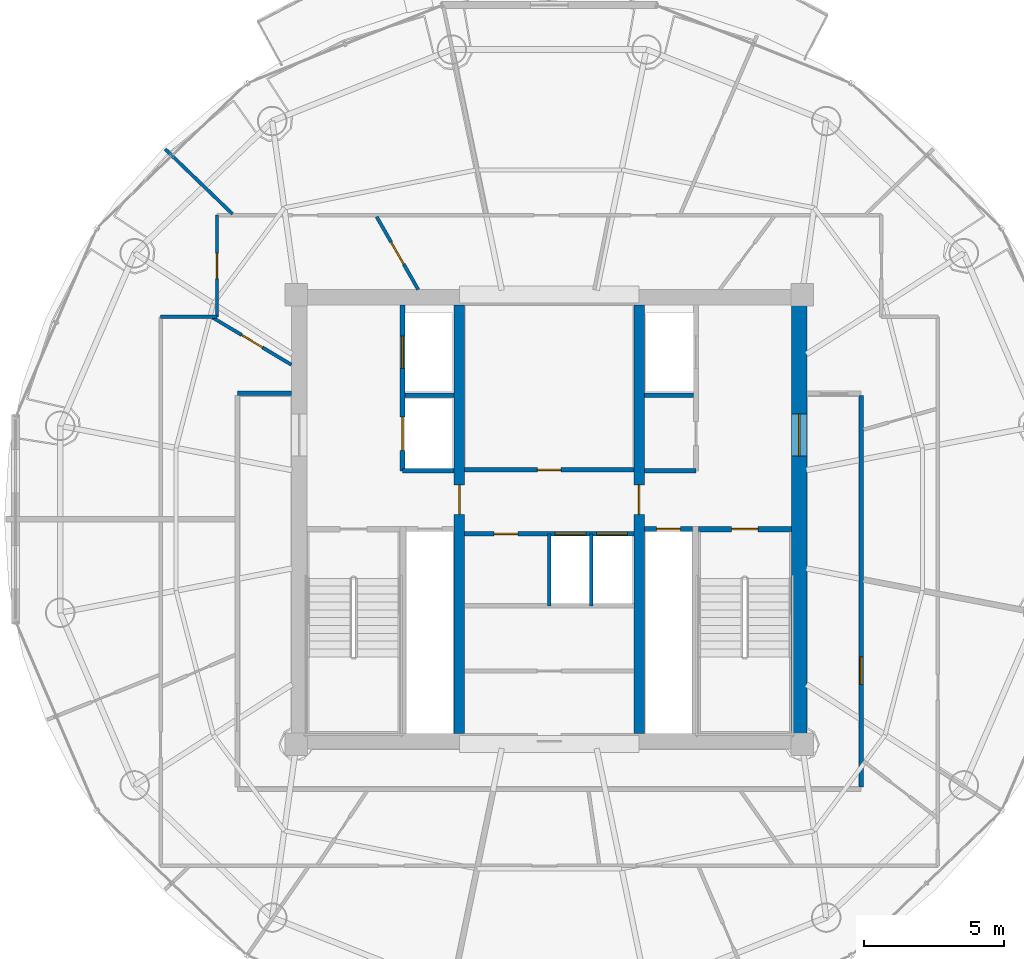
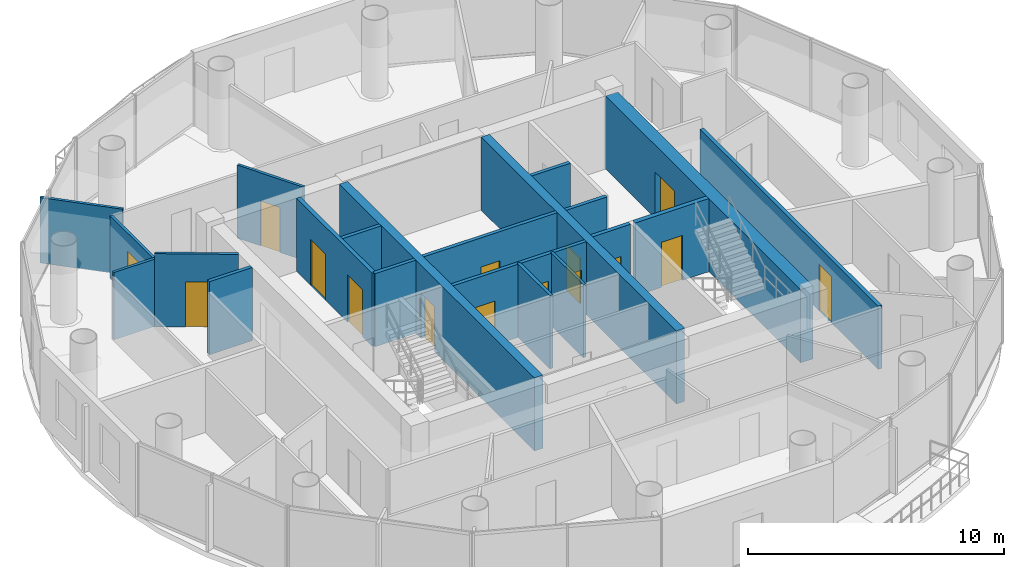
# One storey, part 18 of 23: 21 walls, 15 doors, 15 openings.
"""IFC4 building model written with IfcOpenShell, lengths in metres."""

from ifc_helpers import new_model, si_unit, direction, frame, frame_2d, origin, place, context, subcontext, project, spatial, rectangle, extrude, source, transform, mapped, material, layer, layer_set, type_object, element, fill, save


model = new_model("IFC4")

# Units and contexts
model_context = context("Model", 3, precision=1e-05, world=origin(), true_north=direction((-0.2419218956, 0.970295726276)))
body_context = subcontext(model_context, "Body", "Model", "MODEL_VIEW")
ifc_project = project(units=[si_unit("LENGTHUNIT", "METRE"), si_unit("AREAUNIT", "SQUARE_METRE"), si_unit("VOLUMEUNIT", "CUBIC_METRE"), si_unit("PLANEANGLEUNIT", "RADIAN"), si_unit("MASSUNIT", "GRAM", prefix="KILO")], contexts=[model_context])

# Site, building, storey
site_placement = place(None, origin())
site = spatial("IfcSite", under=ifc_project, at=site_placement, CompositionType="ELEMENT")
building_placement = place(site_placement, origin())
building = spatial("IfcBuilding", under=site, at=building_placement, Name="Cobrevalo Terracotta Tower", CompositionType="ELEMENT")
storey_placement = place(building_placement, frame((0.0, 0.0, 263.199951171875)))
storey = spatial("IfcBuildingStorey", under=building, at=storey_placement, Name="L69", CompositionType="ELEMENT", Elevation=263.199951171875)

# Wall, opening, door
ifc_material_1 = material(Name="Concrete C50", Category="concrete")
ifc_layer_1 = layer(ifc_material_1, 0.550048828125)
ifc_layer_set_1 = layer_set([ifc_layer_1], Name="Concrete C50")
wall_type_1 = type_object("IfcWallType", Name="Core shear wall 550 mm Concrete C50", PredefinedType="SHEAR", material=ifc_layer_set_1)
wall_1_placement = place(storey_placement, frame((46.89990234375, 19.175048828125, 0.0), z_axis=(0.0, 0.0, 1.0), x_axis=(0.0, 1.0, 0.0)))
wall_1 = element("IfcWall", 1, at=wall_1_placement, inside=storey, type_object=wall_type_1, Name="L69 east core shear wall", PredefinedType="SHEAR", context=body_context, shape_type="SweptSolid", body=[
    extrude(rectangle(XDim=15.25, YDim=0.550048828125, at=frame_2d((7.625, 0.0))), origin(), (0.0, 0.0, 1.0), 3.489990234375),
])
opening_1_placement = place(wall_1_placement, frame((9.875, 0.0, 0.0)))
opening_1 = element("IfcOpeningElement", 2, at=opening_1_placement, cuts=wall_1, Name="Opening ID-14", PredefinedType="OPENING", context=body_context, shape_type="SweptSolid", body=[
    extrude(rectangle(XDim=1.5, YDim=2.199951171875, at=frame_2d((0.75, 1.10009765625))), frame((0.0, 0.28515625, 0.0), z_axis=(0.0, -1.0, 0.0), x_axis=(1.0, 0.0, 0.0)), (0.0, 0.0, 1.0), 0.570068359375),
])
ifc_material_2 = material(Name="Galvanized fire-rated steel", Category="steel")
door_type_1 = type_object("IfcDoorType", Name="Core cross-lobby double fire door 1500x2200 EI 90", OperationType="NOTDEFINED", PredefinedType="DOOR", material=ifc_material_2)
shared_shape_1 = source(origin(), body_context, "Body", "SweptSolid", [
    extrude(rectangle(XDim=1.5, YDim=2.199951171875, at=frame_2d((0.75, 1.10009765625))), frame((0.0, 0.02490234375, 0.0), z_axis=(0.0, -1.0, 0.0), x_axis=(1.0, 0.0, 0.0)), (0.0, 0.0, 1.0), 0.050048828125),
])
door_1_placement = place(opening_1_placement, frame((1.5, 0.0, 0.0), z_axis=(0.0, 0.0, 1.0), x_axis=(-1.0, 0.0, 0.0)))
door_1 = element("IfcDoor", 3, at=door_1_placement, inside=storey, type_object=door_type_1, Name="L69 east firefighting lobby entrance door", OperationType="DOUBLE_DOOR_SINGLE_SWING", OverallHeight=2.199951171875, OverallWidth=1.5, PredefinedType="DOOR", context=body_context, shape_type="MappedRepresentation", body=[
    mapped(shared_shape_1, transform((0.0, 0.0, 0.0), scale=1.0)),
])
fill(opening_1, door_1)

# Walls
ifc_material_3 = material(Name="Gypsum board on steel stud", Category="steel")
ifc_layer_2 = layer(ifc_material_3, 0.159912109375)
ifc_layer_set_2 = layer_set([ifc_layer_2], Name="Gypsum board on steel stud")
wall_type_2 = type_object("IfcWallType", Name="Fire-rated corridor acoustic partition wall 160 mm", PredefinedType="PARTITIONING", material=ifc_layer_set_2)
wall_2_placement = place(storey_placement, frame((32.860107421875, 31.219970703125, 0.0), z_axis=(0.0, 0.0, 1.0), x_axis=(1.0, 0.0, 0.0)))
element("IfcWall", 4, at=wall_2_placement, inside=storey, type_object=wall_type_2, Name="L69 interior partition IW-L69-FF1-M", PredefinedType="PARTITIONING", context=body_context, shape_type="SweptSolid", body=[
    extrude(rectangle(XDim=1.75, YDim=0.159912109375, at=frame_2d((0.875, 0.0))), origin(), (0.0, 0.0, 1.0), 3.489990234375),
])
wall_3_placement = place(storey_placement, frame((32.77001953125, 28.52001953125, 0.0), z_axis=(0.0, 0.0, 1.0), x_axis=(1.0, 0.0, 0.0)))
element("IfcWall", 5, at=wall_3_placement, inside=storey, type_object=wall_type_2, Name="L69 interior partition IW-L69-FF1-S", PredefinedType="PARTITIONING", context=body_context, shape_type="SweptSolid", body=[
    extrude(rectangle(XDim=1.840087890625, YDim=0.159912109375, at=frame_2d((0.919921875, 0.0))), origin(), (0.0, 0.0, 1.0), 3.489990234375),
])
wall_4_placement = place(storey_placement, frame((41.389892578125, 31.219970703125, 0.0), z_axis=(0.0, 0.0, 1.0), x_axis=(1.0, 0.0, 0.0)))
element("IfcWall", 6, at=wall_4_placement, inside=storey, type_object=wall_type_2, Name="L69 interior partition IW-L69-FF2-M", PredefinedType="PARTITIONING", context=body_context, shape_type="SweptSolid", body=[
    extrude(rectangle(XDim=1.75, YDim=0.159912109375, at=frame_2d((0.875, 0.0))), origin(), (0.0, 0.0, 1.0), 3.489990234375),
])
wall_5_placement = place(storey_placement, frame((41.389892578125, 28.52001953125, 0.0), z_axis=(0.0, 0.0, 1.0), x_axis=(1.0, 0.0, 0.0)))
element("IfcWall", 7, at=wall_5_placement, inside=storey, type_object=wall_type_2, Name="L69 interior partition IW-L69-FF2-S", PredefinedType="PARTITIONING", context=body_context, shape_type="SweptSolid", body=[
    extrude(rectangle(XDim=1.840087890625, YDim=0.159912109375, at=frame_2d((0.919921875, 0.0))), origin(), (0.0, 0.0, 1.0), 3.489990234375),
])

# Wall, opening, door
wall_6_placement = place(storey_placement, frame((34.989990234375, 28.56005859375, 0.0), z_axis=(0.0, 0.0, 1.0), x_axis=(1.0, 0.0, 0.0)))
wall_6 = element("IfcWall", 8, at=wall_6_placement, inside=storey, type_object=wall_type_2, Name="L69 interior partition IW-L69-LB-S", PredefinedType="PARTITIONING", context=body_context, shape_type="SweptSolid", body=[
    extrude(rectangle(XDim=6.02001953125, YDim=0.159912109375, at=frame_2d((3.010009765625, 0.0))), origin(), (0.0, 0.0, 1.0), 3.489990234375),
])
opening_2_placement = place(wall_6_placement, frame((2.5849609375, 0.0, 0.0)))
opening_2 = element("IfcOpeningElement", 9, at=opening_2_placement, cuts=wall_6, Name="Opening ID-22", PredefinedType="OPENING", context=body_context, shape_type="SweptSolid", body=[
    extrude(rectangle(XDim=0.85009765625, YDim=2.10009765625, at=frame_2d((0.425048828125, 1.050048828125))), frame((0.0, 0.08984375, 0.0), z_axis=(0.0, -1.0, 0.0), x_axis=(1.0, 0.0, 0.0)), (0.0, 0.0, 1.0), 0.179931640625),
])
ifc_material_4 = material(Name="Powder-coated steel", Category="steel")
door_type_2 = type_object("IfcDoorType", Name="Riser shaft & meter closet fire access door 850x2100 EI 60", OperationType="NOTDEFINED", PredefinedType="DOOR", material=ifc_material_4)
shared_shape_2 = source(origin(), body_context, "Body", "SweptSolid", [
    extrude(rectangle(XDim=0.85009765625, YDim=2.10009765625, at=frame_2d((0.425048828125, 1.050048828125))), frame((0.0, 0.02490234375, 0.0), z_axis=(0.0, -1.0, 0.0), x_axis=(1.0, 0.0, 0.0)), (0.0, 0.0, 1.0), 0.050048828125),
])
door_2_placement = place(opening_2_placement, origin())
door_2 = element("IfcDoor", 10, at=door_2_placement, inside=storey, type_object=door_type_2, Name="L69 core service door Floor Electrical Switchroom", OperationType="SINGLE_SWING_LEFT", OverallHeight=2.10009765625, OverallWidth=0.85009765625, PredefinedType="DOOR", context=body_context, shape_type="MappedRepresentation", body=[
    mapped(shared_shape_2, transform((0.0, 0.0, 0.0), scale=1.0)),
])
fill(opening_2, door_2)

# Wall, openings, doors
wall_7_placement = place(storey_placement, frame((34.989990234375, 26.280029296875, 0.0), z_axis=(0.0, 0.0, 1.0), x_axis=(1.0, 0.0, 0.0)))
wall_7 = element("IfcWall", 11, at=wall_7_placement, inside=storey, type_object=wall_type_2, Name="L69 interior partition IW-L69-MB-N", PredefinedType="PARTITIONING", context=body_context, shape_type="SweptSolid", body=[
    extrude(rectangle(XDim=6.02001953125, YDim=0.159912109375, at=frame_2d((3.010009765625, 0.0))), origin(), (0.0, 0.0, 1.0), 3.489990234375),
])
opening_3_placement = place(wall_7_placement, frame((1.044921875, 0.0, 0.0)))
opening_3 = element("IfcOpeningElement", 12, at=opening_3_placement, cuts=wall_7, Name="Opening ID-22", PredefinedType="OPENING", context=body_context, shape_type="SweptSolid", body=[
    extrude(rectangle(XDim=0.85009765625, YDim=2.10009765625, at=frame_2d((0.425048828125, 1.050048828125))), frame((0.0, 0.08984375, 0.0), z_axis=(0.0, -1.0, 0.0), x_axis=(1.0, 0.0, 0.0)), (0.0, 0.0, 1.0), 0.179931640625),
])
opening_4_placement = place(wall_7_placement, frame((3.215087890625, 0.0, 0.0)))
opening_4 = element("IfcOpeningElement", 13, at=opening_4_placement, cuts=wall_7, Name="Opening LD-01", PredefinedType="OPENING", context=body_context, shape_type="SweptSolid", body=[
    extrude(rectangle(XDim=1.10009765625, YDim=2.199951171875, at=frame_2d((0.550048828125, 1.10009765625))), frame((0.0, 0.08984375, 0.0), z_axis=(0.0, -1.0, 0.0), x_axis=(1.0, 0.0, 0.0)), (0.0, 0.0, 1.0), 0.179931640625),
])
opening_5_placement = place(wall_7_placement, frame((4.695068359375, 0.0, 0.0)))
opening_5 = element("IfcOpeningElement", 14, at=opening_5_placement, cuts=wall_7, Name="Opening LD-01", PredefinedType="OPENING", context=body_context, shape_type="SweptSolid", body=[
    extrude(rectangle(XDim=1.10009765625, YDim=2.199951171875, at=frame_2d((0.550048828125, 1.10009765625))), frame((0.0, 0.08984375, 0.0), z_axis=(0.0, -1.0, 0.0), x_axis=(1.0, 0.0, 0.0)), (0.0, 0.0, 1.0), 0.179931640625),
])
door_3_placement = place(opening_3_placement, frame((0.85009765625, 0.0, 0.0), z_axis=(0.0, 0.0, 1.0), x_axis=(-1.0, 0.0, 0.0)))
door_3 = element("IfcDoor", 15, at=door_3_placement, inside=storey, type_object=door_type_2, Name="L69 core room door High-Rise Core Linen and Equipment Store", OperationType="SINGLE_SWING_RIGHT", OverallHeight=2.10009765625, OverallWidth=0.85009765625, PredefinedType="DOOR", context=body_context, shape_type="MappedRepresentation", body=[
    mapped(shared_shape_2, transform((0.0, 0.0, 0.0), scale=1.0)),
])
fill(opening_3, door_3)
ifc_material_5 = material(Name="Brushed stainless steel", Category="steel")
door_type_3 = type_object("IfcDoorType", Name="Passenger lift landing bi-parting sliding door 1100x2200 EI 90", OperationType="DOUBLE_DOOR_SLIDING", PredefinedType="DOOR", material=ifc_material_5)
shared_shape_3 = source(origin(), body_context, "Body", "SweptSolid", [
    extrude(rectangle(XDim=1.10009765625, YDim=2.199951171875, at=frame_2d((0.550048828125, 1.10009765625))), frame((0.0, 0.02490234375, 0.0), z_axis=(0.0, -1.0, 0.0), x_axis=(1.0, 0.0, 0.0)), (0.0, 0.0, 1.0), 0.050048828125),
])
door_4_placement = place(opening_4_placement, origin())
door_4 = element("IfcDoor", 16, at=door_4_placement, inside=storey, type_object=door_type_3, Name="L69 lift landing door PL-H1", OperationType="DOUBLE_DOOR_SLIDING", OverallHeight=2.199951171875, OverallWidth=1.10009765625, PredefinedType="DOOR", context=body_context, shape_type="MappedRepresentation", body=[
    mapped(shared_shape_3, transform((0.0, 0.0, 0.0), scale=1.0)),
])
fill(opening_4, door_4)
door_5_placement = place(opening_5_placement, origin())
door_5 = element("IfcDoor", 17, at=door_5_placement, inside=storey, type_object=door_type_3, Name="L69 lift landing door PL-H2", OperationType="DOUBLE_DOOR_SLIDING", OverallHeight=2.199951171875, OverallWidth=1.10009765625, PredefinedType="DOOR", context=body_context, shape_type="MappedRepresentation", body=[
    mapped(shared_shape_3, transform((0.0, 0.0, 0.0), scale=1.0)),
])
fill(opening_5, door_5)

# Wall
wall_8_placement = place(storey_placement, frame((26.89501953125, 31.280029296875, 0.0), z_axis=(0.0, 0.0, 1.0), x_axis=(1.0, 0.0, 0.0)))
element("IfcWall", 18, at=wall_8_placement, inside=storey, type_object=wall_type_2, Name="L69 interior partition IW-L69-COR-WN-CAP", PredefinedType="PARTITIONING", context=body_context, shape_type="SweptSolid", body=[
    extrude(rectangle(XDim=1.929931640625, YDim=0.159912109375, at=frame_2d((0.96484375, 0.0))), origin(), (0.0, 0.0, 1.0), 3.489990234375),
])

# Wall, opening, door
wall_9_placement = place(storey_placement, frame((49.10498046875, 17.27490234375, 0.0), z_axis=(0.0, 0.0, 1.0), x_axis=(0.0, 1.0, 0.0)))
wall_9 = element("IfcWall", 19, at=wall_9_placement, inside=storey, type_object=wall_type_2, Name="L69 interior partition IW-L69-COR-E", PredefinedType="PARTITIONING", context=body_context, shape_type="SweptSolid", body=[
    extrude(rectangle(XDim=13.925048828125, YDim=0.159912109375, at=frame_2d((6.96240234375, 0.0))), origin(), (0.0, 0.0, 1.0), 3.01513671875),
])
opening_6_placement = place(wall_9_placement, frame((3.647216796875, 0.0, 0.0)))
opening_6 = element("IfcOpeningElement", 20, at=opening_6_placement, cuts=wall_9, Name="Opening ID-05", PredefinedType="OPENING", context=body_context, shape_type="SweptSolid", body=[
    extrude(rectangle(XDim=0.97998046875, YDim=2.199951171875, at=frame_2d((0.489990234375, 1.10009765625))), frame((0.0, 0.08984375, 0.0), z_axis=(0.0, -1.0, 0.0), x_axis=(1.0, 0.0, 0.0)), (0.0, 0.0, 1.0), 0.179931640625),
])
ifc_material_6 = material(Name="Solid hardwood timber", Category="wood")
door_type_4 = type_object("IfcDoorType", Name="Residence entrance fire-rated acoustic timber door 980x2200 EI 60", OperationType="NOTDEFINED", PredefinedType="DOOR", material=ifc_material_6)
shared_shape_4 = source(origin(), body_context, "Body", "SweptSolid", [
    extrude(rectangle(XDim=0.97998046875, YDim=2.199951171875, at=frame_2d((0.489990234375, 1.10009765625))), frame((0.0, 0.02490234375, 0.0), z_axis=(0.0, -1.0, 0.0), x_axis=(1.0, 0.0, 0.0)), (0.0, 0.0, 1.0), 0.050048828125),
])
door_6_placement = place(opening_6_placement, frame((0.97998046875, 0.0, 0.0), z_axis=(0.0, 0.0, 1.0), x_axis=(-1.0, 0.0, 0.0)))
door_6 = element("IfcDoor", 21, at=door_6_placement, inside=storey, type_object=door_type_4, Name="Flat L69C fire-rated apartment entrance door", OperationType="SINGLE_SWING_LEFT", OverallHeight=2.199951171875, OverallWidth=0.97998046875, PredefinedType="DOOR", context=body_context, shape_type="MappedRepresentation", body=[
    mapped(shared_shape_4, transform((0.0, 0.0, 0.0), scale=1.0)),
])
fill(opening_6, door_6)

ifc_layer_3 = layer(ifc_material_3, 0.179931640625)
ifc_layer_set_3 = layer_set([ifc_layer_3], Name="Gypsum board on steel stud")
wall_type_3 = type_object("IfcWallType", Name="Fire-rated shaft & lobby acoustic partition wall 180 mm", PredefinedType="PARTITIONING", material=ifc_layer_set_3)
wall_10_placement = place(storey_placement, frame((41.389892578125, 26.449951171875, 0.0), z_axis=(0.0, 0.0, 1.0), x_axis=(1.0, 0.0, 0.0)))
wall_10 = element("IfcWall", 22, at=wall_10_placement, inside=storey, type_object=wall_type_3, Name="L69 interior partition IW-L69-RSE-N", PredefinedType="PARTITIONING", context=body_context, shape_type="SweptSolid", body=[
    extrude(rectangle(XDim=1.710205078125, YDim=0.179931640625, at=frame_2d((0.85498046875, 0.0))), origin(), (0.0, 0.0, 1.0), 3.489990234375),
])
opening_7_placement = place(wall_10_placement, frame((0.429931640625, 0.0, 0.0)))
opening_7 = element("IfcOpeningElement", 23, at=opening_7_placement, cuts=wall_10, Name="Opening ID-22", PredefinedType="OPENING", context=body_context, shape_type="SweptSolid", body=[
    extrude(rectangle(XDim=0.85009765625, YDim=2.10009765625, at=frame_2d((0.425048828125, 1.050048828125))), frame((0.0, 0.10009765625, 0.0), z_axis=(0.0, -1.0, 0.0), x_axis=(1.0, 0.0, 0.0)), (0.0, 0.0, 1.0), 0.199951171875),
])
door_7_placement = place(opening_7_placement, origin())
door_7 = element("IfcDoor", 24, at=door_7_placement, inside=storey, type_object=door_type_2, Name="L69 riser access door RSE", OperationType="SINGLE_SWING_RIGHT", OverallHeight=2.10009765625, OverallWidth=0.85009765625, PredefinedType="DOOR", context=body_context, shape_type="MappedRepresentation", body=[
    mapped(shared_shape_2, transform((0.0, 0.0, 0.0), scale=1.0)),
])
fill(opening_7, door_7)

# Wall, openings, doors
wall_11_placement = place(storey_placement, frame((32.77001953125, 28.52001953125, 0.0), z_axis=(0.0, 0.0, 1.0), x_axis=(0.0, 1.0, 0.0)))
wall_11 = element("IfcWall", 25, at=wall_11_placement, inside=storey, type_object=wall_type_3, Name="L69 interior partition IW-L69-FF1-W", PredefinedType="PARTITIONING", context=body_context, shape_type="SweptSolid", body=[
    extrude(rectangle(XDim=5.905029296875, YDim=0.179931640625, at=frame_2d((2.95263671875, 0.0))), origin(), (0.0, 0.0, 1.0), 3.489990234375),
])
opening_8_placement = place(wall_11_placement, frame((3.655029296875, 0.0, 0.0)))
opening_8 = element("IfcOpeningElement", 26, at=opening_8_placement, cuts=wall_11, Name="Opening LD-02", PredefinedType="OPENING", context=body_context, shape_type="SweptSolid", body=[
    extrude(rectangle(XDim=1.14990234375, YDim=2.199951171875, at=frame_2d((0.574951171875, 1.10009765625))), frame((0.0, 0.10009765625, 0.0), z_axis=(0.0, -1.0, 0.0), x_axis=(1.0, 0.0, 0.0)), (0.0, 0.0, 1.0), 0.199951171875),
])
opening_9_placement = place(wall_11_placement, frame((0.72998046875, 0.0, 0.0)))
opening_9 = element("IfcOpeningElement", 27, at=opening_9_placement, cuts=wall_11, Name="Opening LD-03", PredefinedType="OPENING", context=body_context, shape_type="SweptSolid", body=[
    extrude(rectangle(XDim=1.199951171875, YDim=2.25, at=frame_2d((0.60009765625, 1.125))), frame((0.0, 0.10009765625, 0.0), z_axis=(0.0, -1.0, 0.0), x_axis=(1.0, 0.0, 0.0)), (0.0, 0.0, 1.0), 0.199951171875),
])
door_type_5 = type_object("IfcDoorType", Name="Firefighting lift landing bi-parting sliding door 1150x2200 EI 120", OperationType="DOUBLE_DOOR_SLIDING", PredefinedType="DOOR", material=ifc_material_5)
shared_shape_5 = source(origin(), body_context, "Body", "SweptSolid", [
    extrude(rectangle(XDim=1.14990234375, YDim=2.199951171875, at=frame_2d((0.574951171875, 1.10009765625))), frame((0.0, 0.02490234375, 0.0), z_axis=(0.0, -1.0, 0.0), x_axis=(1.0, 0.0, 0.0)), (0.0, 0.0, 1.0), 0.050048828125),
])
door_8_placement = place(opening_8_placement, origin())
door_8 = element("IfcDoor", 28, at=door_8_placement, inside=storey, type_object=door_type_5, Name="L69 lift landing door FF-1", OperationType="DOUBLE_DOOR_SLIDING", OverallHeight=2.199951171875, OverallWidth=1.14990234375, PredefinedType="DOOR", context=body_context, shape_type="MappedRepresentation", body=[
    mapped(shared_shape_5, transform((0.0, 0.0, 0.0), scale=1.0)),
])
fill(opening_8, door_8)
door_type_6 = type_object("IfcDoorType", Name="Service lift landing bi-parting sliding door 1200x2250 EI 120", OperationType="DOUBLE_DOOR_SLIDING", PredefinedType="DOOR", material=ifc_material_5)
shared_shape_6 = source(origin(), body_context, "Body", "SweptSolid", [
    extrude(rectangle(XDim=1.199951171875, YDim=2.25, at=frame_2d((0.60009765625, 1.125))), frame((0.0, 0.02490234375, 0.0), z_axis=(0.0, -1.0, 0.0), x_axis=(1.0, 0.0, 0.0)), (0.0, 0.0, 1.0), 0.050048828125),
])
door_9_placement = place(opening_9_placement, origin())
door_9 = element("IfcDoor", 29, at=door_9_placement, inside=storey, type_object=door_type_6, Name="L69 lift landing door SV-1", OperationType="DOUBLE_DOOR_SLIDING", OverallHeight=2.25, OverallWidth=1.199951171875, PredefinedType="DOOR", context=body_context, shape_type="MappedRepresentation", body=[
    mapped(shared_shape_6, transform((0.0, 0.0, 0.0), scale=1.0)),
])
fill(opening_9, door_9)

# Wall
ifc_material_7 = material(Name="Autoclaved aerated concrete block", Category="concrete")
ifc_layer_4 = layer(ifc_material_7, 0.1201171875)
ifc_layer_set_4 = layer_set([ifc_layer_4], Name="Autoclaved aerated concrete block")
wall_type_4 = type_object("IfcWallType", Name="Fire-rated wet-room & core service partition 120 mm", PredefinedType="PARTITIONING", material=ifc_layer_set_4)
wall_12_placement = place(storey_placement, frame((39.5, 23.719970703125, 0.0), z_axis=(0.0, 0.0, 1.0), x_axis=(0.0, 1.0, 0.0)))
element("IfcWall", 30, at=wall_12_placement, inside=storey, type_object=wall_type_4, Name="L69 interior partition IW-L69-MB-D3", PredefinedType="PARTITIONING", context=body_context, shape_type="SweptSolid", body=[
    extrude(rectangle(XDim=2.56005859375, YDim=0.1201171875, at=frame_2d((1.280029296875, 0.0))), origin(), (0.0, 0.0, 1.0), 3.489990234375),
])

# Wall, opening, door
ifc_layer_5 = layer(ifc_material_1, 0.3798828125)
ifc_layer_set_5 = layer_set([ifc_layer_5], Name="Concrete C50")
wall_type_5 = type_object("IfcWallType", Name="Internal core shear web wall 380 mm Concrete C50", PredefinedType="SHEAR", material=ifc_layer_set_5)
wall_13_placement = place(storey_placement, frame((34.800048828125, 19.175048828125, 0.0), z_axis=(0.0, 0.0, 1.0), x_axis=(0.0, 1.0, 0.0)))
wall_13 = element("IfcWall", 31, at=wall_13_placement, inside=storey, type_object=wall_type_5, Name="L69 internal core shear wall WEB-W", PredefinedType="SHEAR", context=body_context, shape_type="SweptSolid", body=[
    extrude(rectangle(XDim=15.25, YDim=0.3798828125, at=frame_2d((7.625, 0.0))), origin(), (0.0, 0.0, 1.0), 3.489990234375),
])
opening_10_placement = place(wall_13_placement, frame((7.800048828125, 0.0, 0.0)))
opening_10 = element("IfcOpeningElement", 32, at=opening_10_placement, cuts=wall_13, Name="Opening ID-11", PredefinedType="OPENING", context=body_context, shape_type="SweptSolid", body=[
    extrude(rectangle(XDim=1.050048828125, YDim=2.14990234375, at=frame_2d((0.52490234375, 1.074951171875))), frame((0.0, 0.199951171875, 0.0), z_axis=(0.0, -1.0, 0.0), x_axis=(1.0, 0.0, 0.0)), (0.0, 0.0, 1.0), 0.39990234375),
])
door_type_7 = type_object("IfcDoorType", Name="Core concourse cross fire door 1050x2150 EI 90", OperationType="NOTDEFINED", PredefinedType="DOOR", material=ifc_material_2)
shared_shape_7 = source(origin(), body_context, "Body", "SweptSolid", [
    extrude(rectangle(XDim=1.050048828125, YDim=2.14990234375, at=frame_2d((0.52490234375, 1.074951171875))), frame((0.0, 0.02490234375, 0.0), z_axis=(0.0, -1.0, 0.0), x_axis=(1.0, 0.0, 0.0)), (0.0, 0.0, 1.0), 0.050048828125),
])
door_10_placement = place(opening_10_placement, origin())
door_10 = element("IfcDoor", 33, at=door_10_placement, inside=storey, type_object=door_type_7, Name="L69 west core concourse cross door", OperationType="SINGLE_SWING_LEFT", OverallHeight=2.14990234375, OverallWidth=1.050048828125, PredefinedType="DOOR", context=body_context, shape_type="MappedRepresentation", body=[
    mapped(shared_shape_7, transform((0.0, 0.0, 0.0), scale=1.0)),
])
fill(opening_10, door_10)

wall_14_placement = place(storey_placement, frame((41.199951171875, 19.175048828125, 0.0), z_axis=(0.0, 0.0, 1.0), x_axis=(0.0, 1.0, 0.0)))
wall_14 = element("IfcWall", 34, at=wall_14_placement, inside=storey, type_object=wall_type_5, Name="L69 internal core shear wall WEB-E", PredefinedType="SHEAR", context=body_context, shape_type="SweptSolid", body=[
    extrude(rectangle(XDim=15.25, YDim=0.3798828125, at=frame_2d((7.625, 0.0))), origin(), (0.0, 0.0, 1.0), 3.489990234375),
])
opening_11_placement = place(wall_14_placement, frame((7.800048828125, 0.0, 0.0)))
opening_11 = element("IfcOpeningElement", 35, at=opening_11_placement, cuts=wall_14, Name="Opening ID-11", PredefinedType="OPENING", context=body_context, shape_type="SweptSolid", body=[
    extrude(rectangle(XDim=1.050048828125, YDim=2.14990234375, at=frame_2d((0.52490234375, 1.074951171875))), frame((0.0, 0.199951171875, 0.0), z_axis=(0.0, -1.0, 0.0), x_axis=(1.0, 0.0, 0.0)), (0.0, 0.0, 1.0), 0.39990234375),
])
door_11_placement = place(opening_11_placement, frame((1.050048828125, 0.0, 0.0), z_axis=(0.0, 0.0, 1.0), x_axis=(-1.0, 0.0, 0.0)))
door_11 = element("IfcDoor", 36, at=door_11_placement, inside=storey, type_object=door_type_7, Name="L69 east core concourse cross door", OperationType="SINGLE_SWING_RIGHT", OverallHeight=2.14990234375, OverallWidth=1.050048828125, PredefinedType="DOOR", context=body_context, shape_type="MappedRepresentation", body=[
    mapped(shared_shape_7, transform((0.0, 0.0, 0.0), scale=1.0)),
])
fill(opening_11, door_11)

# Walls
ifc_layer_6 = layer(ifc_material_7, 0.139892578125)
ifc_layer_set_6 = layer_set([ifc_layer_6], Name="Autoclaved aerated concrete block")
wall_type_6 = type_object("IfcWallType", Name="Moisture-resistant wet-room & core service partition 140 mm", PredefinedType="PARTITIONING", material=ifc_layer_set_6)
wall_15_placement = place(storey_placement, frame((38.0, 23.719970703125, 0.0), z_axis=(0.0, 0.0, 1.0), x_axis=(0.0, 1.0, 0.0)))
element("IfcWall", 37, at=wall_15_placement, inside=storey, type_object=wall_type_6, Name="L69 interior partition IW-L69-MB-D2", PredefinedType="PARTITIONING", context=body_context, shape_type="SweptSolid", body=[
    extrude(rectangle(XDim=2.56005859375, YDim=0.139892578125, at=frame_2d((1.280029296875, 0.0))), origin(), (0.0, 0.0, 1.0), 3.489990234375),
])
ifc_layer_7 = layer(ifc_material_3, 0.1201171875)
ifc_layer_set_7 = layer_set([ifc_layer_7], Name="Gypsum board on steel stud")
wall_type_7 = type_object("IfcWallType", Name="Residential internal acoustic stud partition 120 mm", PredefinedType="PARTITIONING", material=ifc_layer_set_7)
wall_16_placement = place(storey_placement, frame((24.1650390625, 34.010009765625, 0.0), z_axis=(0.0, 0.0, 1.0), x_axis=(1.0, 0.0, 0.0)))
element("IfcWall", 38, at=wall_16_placement, inside=storey, type_object=wall_type_7, Name="L69 interior partition IW-L69-U1-RING1_0", PredefinedType="PARTITIONING", context=body_context, shape_type="SweptSolid", body=[
    extrude(rectangle(XDim=2.010009765625, YDim=0.1201171875, at=frame_2d((1.0048828125, 0.0))), origin(), (0.0, 0.0, 1.0), 3.208984375),
])

# Wall, opening, door
wall_17_placement = place(storey_placement, frame((26.175048828125, 34.010009765625, 0.0), z_axis=(0.0, 0.0, 1.0), x_axis=(0.0, 1.0, 0.0)))
wall_17 = element("IfcWall", 39, at=wall_17_placement, inside=storey, type_object=wall_type_7, Name="L69 interior partition IW-L69-U1-RING2_0", PredefinedType="PARTITIONING", context=body_context, shape_type="SweptSolid", body=[
    extrude(rectangle(XDim=3.614990234375, YDim=0.1201171875, at=frame_2d((1.8076171875, 0.0))), origin(), (0.0, 0.0, 1.0), 3.01513671875),
])
opening_12_placement = place(wall_17_placement, frame((1.357421875, 0.0, 0.0)))
opening_12 = element("IfcOpeningElement", 40, at=opening_12_placement, cuts=wall_17, Name="Opening ID-12", PredefinedType="OPENING", context=body_context, shape_type="SweptSolid", body=[
    extrude(rectangle(XDim=0.89990234375, YDim=2.14990234375, at=frame_2d((0.449951171875, 1.074951171875))), frame((0.0, 0.070068359375, 0.0), z_axis=(0.0, -1.0, 0.0), x_axis=(1.0, 0.0, 0.0)), (0.0, 0.0, 1.0), 0.14013671875),
])
ifc_material_8 = material(Name="Engineered timber", Category="wood")
door_type_8 = type_object("IfcDoorType", Name="Internal residence & suite timber door 900x2150", OperationType="NOTDEFINED", PredefinedType="DOOR", material=ifc_material_8)
shared_shape_8 = source(origin(), body_context, "Body", "SweptSolid", [
    extrude(rectangle(XDim=0.89990234375, YDim=2.14990234375, at=frame_2d((0.449951171875, 1.074951171875))), frame((0.0, 0.02490234375, 0.0), z_axis=(0.0, -1.0, 0.0), x_axis=(1.0, 0.0, 0.0)), (0.0, 0.0, 1.0), 0.050048828125),
])
door_12_placement = place(opening_12_placement, origin())
door_12 = element("IfcDoor", 41, at=door_12_placement, inside=storey, type_object=door_type_8, Name="Flat L69A Private Cinema Room internal door", OperationType="SINGLE_SWING_RIGHT", OverallHeight=2.14990234375, OverallWidth=0.89990234375, PredefinedType="DOOR", context=body_context, shape_type="MappedRepresentation", body=[
    mapped(shared_shape_8, transform((0.0, 0.0, 0.0), scale=1.0)),
])
fill(opening_12, door_12)

# Wall
wall_18_placement = place(storey_placement, frame((26.72509765625, 37.66796875, 0.0), z_axis=(0.0, 0.0, 1.0), x_axis=(-0.719954096891, 0.694021684366, 0.0)))
element("IfcWall", 42, at=wall_18_placement, inside=storey, type_object=wall_type_7, Name="L69 interior partition IW-L69-U1-ORAD3", PredefinedType="PARTITIONING", context=body_context, shape_type="SweptSolid", body=[
    extrude(rectangle(XDim=3.332763671875, YDim=0.1201171875, at=frame_2d((1.66650390625, 0.0))), origin(), (0.0, 0.0, 1.0), 3.12109375),
])

# Wall, opening, door
wall_19_placement = place(storey_placement, frame((33.33642578125, 34.976806640625, 0.0), z_axis=(0.0, 0.0, 1.0), x_axis=(-0.495399243909, 0.868665406894, 0.0)))
wall_19 = element("IfcWall", 43, at=wall_19_placement, inside=storey, type_object=wall_type_7, Name="L69 interior partition IW-L69-U1-IRAD4", PredefinedType="PARTITIONING", context=body_context, shape_type="SweptSolid", body=[
    extrude(rectangle(XDim=2.986572265625, YDim=0.1201171875, at=frame_2d((1.4931640625, 0.0))), origin(), (0.0, 0.0, 1.0), 3.489990234375),
])
opening_13_placement = place(wall_19_placement, frame((1.043212890625, 0.0, 0.0)))
opening_13 = element("IfcOpeningElement", 44, at=opening_13_placement, cuts=wall_19, Name="Opening ID-12", PredefinedType="OPENING", context=body_context, shape_type="SweptSolid", body=[
    extrude(rectangle(XDim=0.89990234375, YDim=2.14990234375, at=frame_2d((0.449951171875, 1.074951171875))), frame((0.0, 0.070068359375, 0.0), z_axis=(0.0, -1.0, 0.0), x_axis=(1.0, 0.0, 0.0)), (0.0, 0.0, 1.0), 0.14013671875),
])
door_13_placement = place(opening_13_placement, origin())
door_13 = element("IfcDoor", 45, at=door_13_placement, inside=storey, type_object=door_type_8, Name="Flat L69A Utility Closet internal door", OperationType="SINGLE_SWING_RIGHT", OverallHeight=2.14990234375, OverallWidth=0.89990234375, PredefinedType="DOOR", context=body_context, shape_type="MappedRepresentation", body=[
    mapped(shared_shape_8, transform((0.0, 0.0, 0.0), scale=1.0)),
])
fill(opening_13, door_13)

wall_20_placement = place(storey_placement, frame((28.824951171875, 32.299560546875, 0.0), z_axis=(0.0, 0.0, 1.0), x_axis=(-0.857743539935, 0.514077834282, 0.0)))
wall_20 = element("IfcWall", 46, at=wall_20_placement, inside=storey, type_object=wall_type_7, Name="L69 interior partition IW-L69-U1-IRAD5", PredefinedType="PARTITIONING", context=body_context, shape_type="SweptSolid", body=[
    extrude(rectangle(XDim=3.264892578125, YDim=0.1201171875, at=frame_2d((1.63232421875, 0.0))), origin(), (0.0, 0.0, 1.0), 3.489990234375),
])
opening_14_placement = place(wall_20_placement, frame((1.202392578125, 0.0, 0.0)))
opening_14 = element("IfcOpeningElement", 47, at=opening_14_placement, cuts=wall_20, Name="Opening ID-19", PredefinedType="OPENING", context=body_context, shape_type="SweptSolid", body=[
    extrude(rectangle(XDim=0.860107421875, YDim=2.14990234375, at=frame_2d((0.43017578125, 1.074951171875))), frame((0.0, 0.070068359375, 0.0), z_axis=(0.0, -1.0, 0.0), x_axis=(1.0, 0.0, 0.0)), (0.0, 0.0, 1.0), 0.14013671875),
])
ifc_material_9 = material(Name="Moisture-sealed timber", Category="wood")
door_type_9 = type_object("IfcDoorType", Name="Suite bathroom internal timber door 860x2150", OperationType="NOTDEFINED", PredefinedType="DOOR", material=ifc_material_9)
shared_shape_9 = source(origin(), body_context, "Body", "SweptSolid", [
    extrude(rectangle(XDim=0.860107421875, YDim=2.14990234375, at=frame_2d((0.43017578125, 1.074951171875))), frame((0.0, 0.02490234375, 0.0), z_axis=(0.0, -1.0, 0.0), x_axis=(1.0, 0.0, 0.0)), (0.0, 0.0, 1.0), 0.050048828125),
])
door_14_placement = place(opening_14_placement, origin())
door_14 = element("IfcDoor", 48, at=door_14_placement, inside=storey, type_object=door_type_9, Name="Flat L69A Guest Bathroom internal door", OperationType="SINGLE_SWING_LEFT", OverallHeight=2.14990234375, OverallWidth=0.860107421875, PredefinedType="DOOR", context=body_context, shape_type="MappedRepresentation", body=[
    mapped(shared_shape_9, transform((0.0, 0.0, 0.0), scale=1.0)),
])
fill(opening_14, door_14)

ifc_layer_8 = layer(ifc_material_1, 0.199951171875)
ifc_layer_set_8 = layer_set([ifc_layer_8], Name="Concrete C50")
wall_type_8 = type_object("IfcWallType", Name="Structural core & podium stair-shaft RC wall 200 mm Concrete C50", PredefinedType="SOLIDWALL", material=ifc_layer_set_8)
wall_21_placement = place(storey_placement, frame((43.304931640625, 26.449951171875, 0.0), z_axis=(0.0, 0.0, 1.0), x_axis=(1.0, 0.0, 0.0)))
wall_21 = element("IfcWall", 49, at=wall_21_placement, inside=storey, type_object=wall_type_8, Name="L69 ST-2 north structural shaft wall", PredefinedType="SOLIDWALL", context=body_context, shape_type="SweptSolid", body=[
    extrude(rectangle(XDim=3.320068359375, YDim=0.199951171875, at=frame_2d((1.66015625, 0.0))), origin(), (0.0, 0.0, 1.0), 3.489990234375),
])
opening_15_placement = place(wall_21_placement, frame((1.18505859375, 0.0, 0.0)))
opening_15 = element("IfcOpeningElement", 50, at=opening_15_placement, cuts=wall_21, Name="Opening ID-04", PredefinedType="OPENING", context=body_context, shape_type="SweptSolid", body=[
    extrude(rectangle(XDim=0.949951171875, YDim=2.14990234375, at=frame_2d((0.47509765625, 1.074951171875))), frame((0.0, 0.10986328125, 0.0), z_axis=(0.0, -1.0, 0.0), x_axis=(1.0, 0.0, 0.0)), (0.0, 0.0, 1.0), 0.219970703125),
])
door_type_10 = type_object("IfcDoorType", Name="Stair & firefighting lobby fire door 950x2150 EI 90", OperationType="NOTDEFINED", PredefinedType="DOOR", material=ifc_material_2)
shared_shape_10 = source(origin(), body_context, "Body", "SweptSolid", [
    extrude(rectangle(XDim=0.949951171875, YDim=2.14990234375, at=frame_2d((0.47509765625, 1.074951171875))), frame((0.0, 0.02490234375, 0.0), z_axis=(0.0, -1.0, 0.0), x_axis=(1.0, 0.0, 0.0)), (0.0, 0.0, 1.0), 0.050048828125),
])
door_15_placement = place(opening_15_placement, frame((0.949951171875, 0.0, 0.0), z_axis=(0.0, 0.0, 1.0), x_axis=(-1.0, 0.0, 0.0)))
door_15 = element("IfcDoor", 51, at=door_15_placement, inside=storey, type_object=door_type_10, Name="L69 protected stair ST2 fire door", OperationType="SINGLE_SWING_RIGHT", OverallHeight=2.14990234375, OverallWidth=0.949951171875, PredefinedType="DOOR", context=body_context, shape_type="MappedRepresentation", body=[
    mapped(shared_shape_10, transform((0.0, 0.0, 0.0), scale=1.0)),
])
fill(opening_15, door_15)

save(model, "model.ifc")
